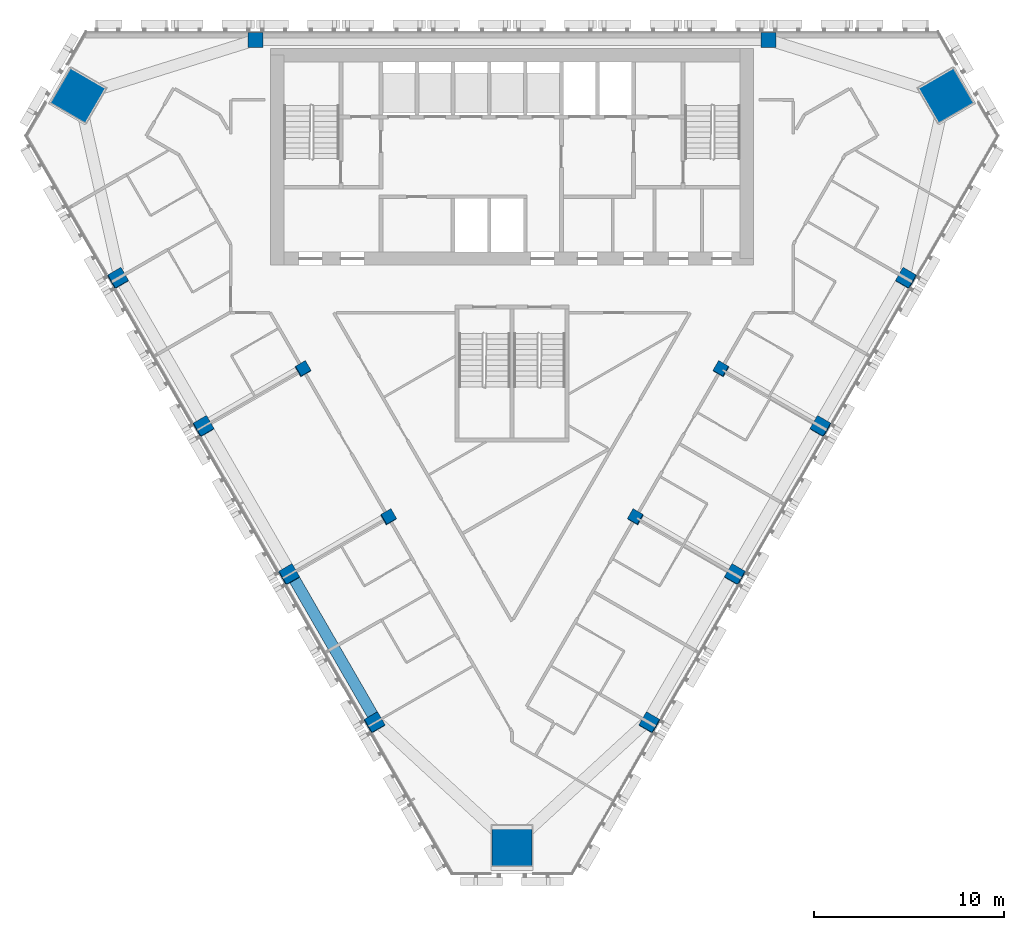
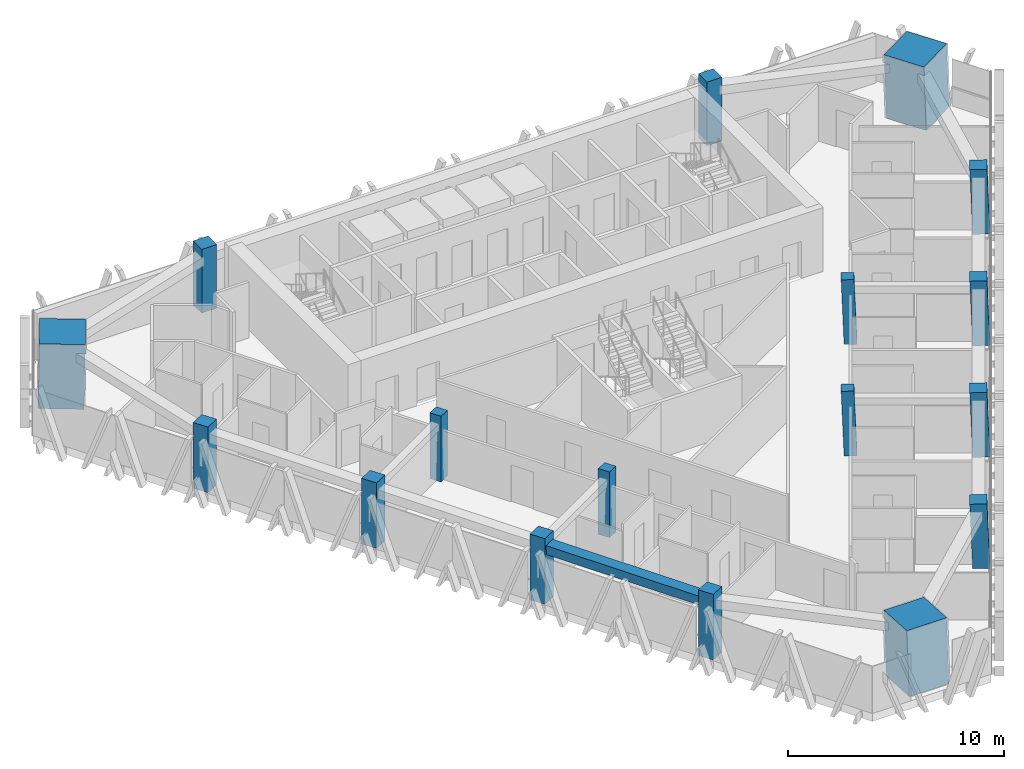
# One storey, part 1 of 16: 17 columns, 1 beam.
"""IFC4 building model written with IfcOpenShell, lengths in metres."""

from ifc_helpers import new_model, si_unit, direction, frame, origin, origin_2d, place, context, subcontext, project, spatial, rectangle, extrude, material, material_profile, profile_set, type_object, element, save


model = new_model("IFC4")

# Units and contexts
model_context = context("Model", 3, precision=1e-05, world=origin(), true_north=direction((0.0, 1.0)))
body_context = subcontext(model_context, "Body", "Model", "MODEL_VIEW")
ifc_project = project(units=[si_unit("LENGTHUNIT", "METRE"), si_unit("AREAUNIT", "SQUARE_METRE"), si_unit("VOLUMEUNIT", "CUBIC_METRE"), si_unit("PLANEANGLEUNIT", "RADIAN"), si_unit("MASSUNIT", "GRAM", prefix="KILO")], contexts=[model_context])

# Site, building, storey
site_placement = place(None, origin())
site = spatial("IfcSite", under=ifc_project, at=site_placement, CompositionType="ELEMENT")
building_placement = place(site_placement, origin())
building = spatial("IfcBuilding", under=site, at=building_placement, Name="Altiplano Prism Tower", CompositionType="ELEMENT")
storey_placement = place(building_placement, frame((0.0, 0.0, 198.0)))
storey = spatial("IfcBuildingStorey", under=building, at=storey_placement, Name="L51", CompositionType="ELEMENT", Elevation=198.0)

# Columns
ifc_material_1 = material(Name="Concrete C60/75", Category="concrete")
ifc_material_profile_1 = material_profile(ifc_material_1, rectangle(XDim=0.60009765625, YDim=0.60009765625, at=origin_2d()), Name="Inner column 600")
ifc_profile_set_1 = profile_set([ifc_material_profile_1], Name="Concrete C60/75")
column_type_1 = type_object("IfcColumnType", Name="Inner column 600", PredefinedType="COLUMN", material=ifc_profile_set_1)
for number, where, z_axis, x_axis, name in (
    (1, (73.99169921875, 87.227294921875, -0.018310546875), (0.02222134892, 0.038480872521, 0.999012229206), (-0.86564209878, -0.499182168802, 0.038482712619), "Inner column I12 L51"),
    (2, (78.49169921875, 79.43310546875, -0.018310546875), (0.02222134892, 0.038480872521, 0.999012229206), (-0.865639418776, -0.499186807044, 0.038482831667), "Inner column I13 L51"),
    (3, (91.50830078125, 79.43310546875, -0.018310546875), (-0.02222134892, 0.038480872521, 0.999012229206), (-0.500174577835, -0.86563950587, 0.022217955907), "Inner column I22 L51"),
    (4, (96.00830078125, 87.227294921875, -0.018310546875), (-0.02222134892, 0.038480872521, 0.999012229206), (-0.500169939593, -0.865642180581, 0.022218162104), "Inner column I23 L51"),
):
    element("IfcColumn", number, at=place(storey_placement, frame(where, z_axis=z_axis, x_axis=x_axis)), inside=storey, type_object=column_type_1, Name=name, PredefinedType="COLUMN", context=body_context, shape_type="SweptSolid", body=[
        extrude(rectangle(XDim=0.60009765625, YDim=0.60009765625, at=origin_2d()), origin(), (0.0, 0.0, 1.0), 3.603759765625),
    ])
ifc_material_2 = material(Name="Concrete C70/85", Category="concrete")
ifc_material_profile_2 = material_profile(ifc_material_2, rectangle(XDim=2.1201171875, YDim=2.1201171875, at=origin_2d()), Name="Mega column infill 2200")
ifc_profile_set_2 = profile_set([ifc_material_profile_2], Name="Concrete C70/85")
column_type_2 = type_object("IfcColumnType", Name="Mega column infill 2200", PredefinedType="COLUMN", material=ifc_profile_set_2)
column_1_placement = place(storey_placement, frame((62.109619140625, 101.60302734375, 0.0), z_axis=(0.028401814599, 0.009218727412, 0.999554076572), x_axis=(-0.865125961523, 0.50115732909, 0.019960014995)))
element("IfcColumn", 5, at=column_1_placement, inside=storey, type_object=column_type_2, Name="Mega column M0 L51", PredefinedType="COLUMN", context=body_context, shape_type="SweptSolid", body=[
    extrude(rectangle(XDim=2.1201171875, YDim=2.1201171875, at=origin_2d()), origin(), (0.0, 0.0, 1.0), 3.601806640625),
])
column_2_placement = place(storey_placement, frame((85.0, 61.955810546875, 0.0), z_axis=(0.0, 0.058356907999, 0.998295783467), x_axis=(-1.0, 0.0, 0.0)))
element("IfcColumn", 6, at=column_2_placement, inside=storey, type_object=column_type_2, Name="Mega column M1 L51", PredefinedType="COLUMN", context=body_context, shape_type="SweptSolid", body=[
    extrude(rectangle(XDim=2.1201171875, YDim=2.1201171875, at=origin_2d()), origin(), (0.0, 0.0, 1.0), 3.606201171875),
])
column_3_placement = place(storey_placement, frame((107.890380859375, 101.60302734375, 0.0), z_axis=(-0.028401814599, 0.009218727412, 0.999554076572), x_axis=(0.50075235184, -0.865305630254, 0.022209195791)))
element("IfcColumn", 7, at=column_3_placement, inside=storey, type_object=column_type_2, Name="Mega column M2 L51", PredefinedType="COLUMN", context=body_context, shape_type="SweptSolid", body=[
    extrude(rectangle(XDim=2.1201171875, YDim=2.1201171875, at=origin_2d()), origin(), (0.0, 0.0, 1.0), 3.601806640625),
])
ifc_material_profile_3 = material_profile(ifc_material_1, rectangle(XDim=0.800048828125, YDim=0.800048828125, at=origin_2d()), Name="Perimeter column 800")
ifc_profile_set_3 = profile_set([ifc_material_profile_3], Name="Concrete C60/75")
column_type_3 = type_object("IfcColumnType", Name="Perimeter column 800", PredefinedType="COLUMN", material=ifc_profile_set_3)
for number, where, z_axis, x_axis, name in (
    (8, (98.5, 104.550048828125, 0.0), (0.0, 0.0, 1.0), (1.0, 0.0, 0.0), "Perimeter column P01 L51"),
    (9, (71.5, 104.550048828125, 0.0), (0.0, 0.0, 1.0), (1.0, 0.0, 0.0), "Perimeter column P04 L51"),
):
    element("IfcColumn", number, at=place(storey_placement, frame(where, z_axis=z_axis, x_axis=x_axis)), inside=storey, type_object=column_type_3, Name=name, PredefinedType="COLUMN", context=body_context, shape_type="SweptSolid", body=[
        extrude(rectangle(XDim=0.800048828125, YDim=0.800048828125, at=origin_2d()), origin(), (0.0, 0.0, 1.0), 3.60009765625),
    ])
for number, where, z_axis, x_axis, name in (
    (10, (64.252197265625, 91.996337890625, -0.024169921875), (0.022155133694, 0.038483534979, 0.999013597298), (-0.864982365973, -0.50032653087, 0.038456066681), "Perimeter column P11 L51"),
    (11, (68.752197265625, 84.2021484375, -0.024169921875), (0.02215519141, 0.038415882353, 0.999016199807), (-0.865364621668, -0.499668992839, 0.038405327245), "Perimeter column P12 L51"),
    (12, (73.252197265625, 76.407958984375, -0.024169921875), (0.02215519141, 0.038415882353, 0.999016199807), (-0.865361947816, -0.499673614488, 0.038405445666), "Perimeter column P13 L51"),
    (13, (77.752197265625, 68.61376953125, -0.024169921875), (0.02215519141, 0.038415882353, 0.999016199807), (-0.865361947816, -0.499673614488, 0.038405445666), "Perimeter column P14 L51"),
    (14, (92.247802734375, 68.61376953125, -0.024169921875), (-0.02215519141, 0.038415882353, 0.999016199807), (-0.500657414572, -0.865361484564, 0.022173278208), "Perimeter column P21 L51"),
    (15, (96.747802734375, 76.407958984375, -0.024169921875), (-0.02215519141, 0.038415882353, 0.999016199807), (-0.500657414572, -0.865361484564, 0.022173278208), "Perimeter column P22 L51"),
    (16, (101.247802734375, 84.2021484375, -0.024169921875), (-0.02215519141, 0.038415882353, 0.999016199807), (-0.50065279292, -0.865364153162, 0.02217348332), "Perimeter column P23 L51"),
    (17, (105.747802734375, 91.996337890625, -0.024169921875), (-0.022155133694, 0.038483534979, 0.999013597298), (-0.501312932815, -0.864981144328, 0.022202777955), "Perimeter column P24 L51"),
):
    element("IfcColumn", number, at=place(storey_placement, frame(where, z_axis=z_axis, x_axis=x_axis)), inside=storey, type_object=column_type_3, Name=name, PredefinedType="COLUMN", context=body_context, shape_type="SweptSolid", body=[
        extrude(rectangle(XDim=0.800048828125, YDim=0.800048828125, at=origin_2d()), origin(), (0.0, 0.0, 1.0), 3.603515625),
    ])

# Beam
ifc_material_profile_4 = material_profile(ifc_material_1, rectangle(XDim=0.60009765625, YDim=0.5, at=origin_2d()), Name="Edge beam 600x500")
ifc_profile_set_4 = profile_set([ifc_material_profile_4], Name="Concrete C60/75")
beam_type = type_object("IfcBeamType", Name="Edge beam 600x500", PredefinedType="SPANDREL", material=ifc_profile_set_4)
beam_placement = place(storey_placement, frame((73.47265625, 76.304931640625, 2.89990234375), z_axis=(0.499993714791, -0.866029032521, 0.0), x_axis=(0.866029032521, 0.499993714791, 0.0)))
element("IfcBeam", 18, at=beam_placement, inside=storey, type_object=beam_type, Name="Edge beam P13-P14 L52", PredefinedType="SPANDREL", context=body_context, shape_type="SweptSolid", body=[
    extrude(rectangle(XDim=0.60009765625, YDim=0.5, at=origin_2d()), origin(), (0.0, 0.0, 1.0), 8.43994140625),
])

save(model, "model.ifc")
